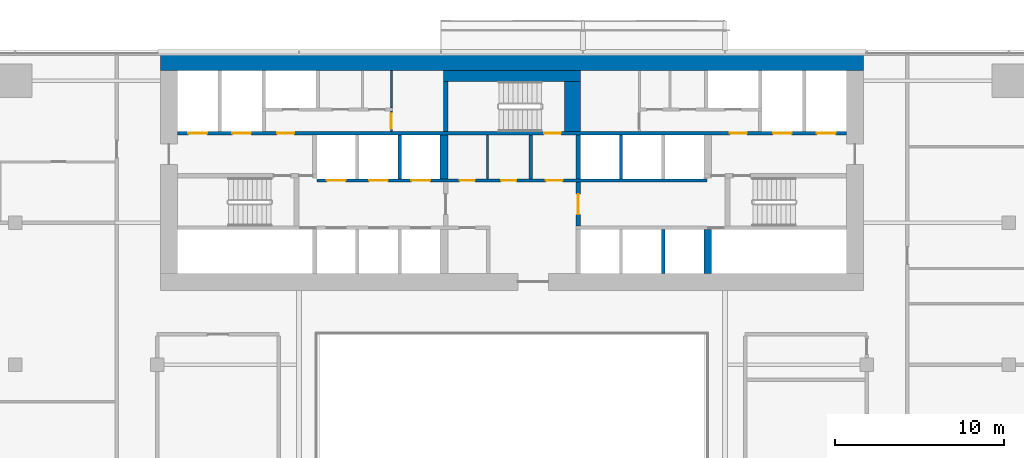
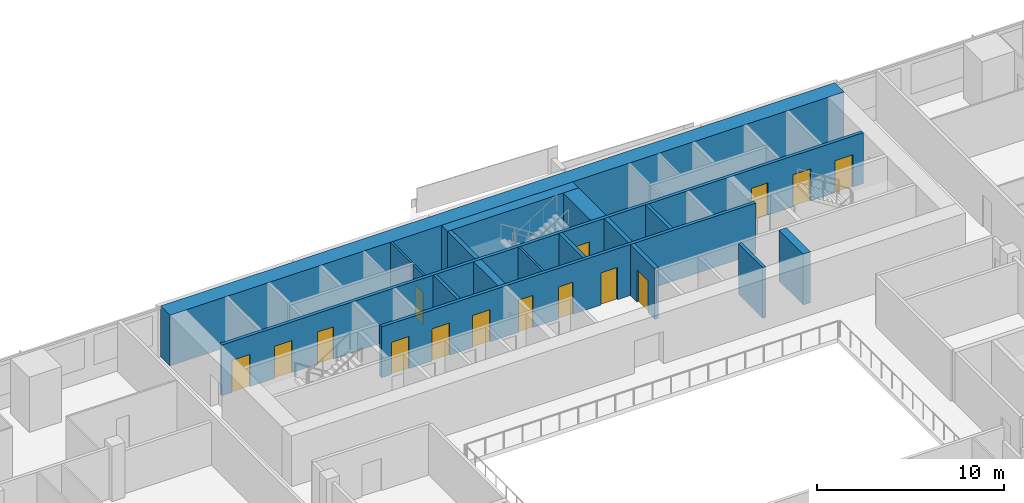
# One storey, part 21 of 26: 17 walls, 15 doors, 15 openings.
"""IFC4 building model written with IfcOpenShell, lengths in metres."""

from ifc_helpers import new_model, si_unit, direction, frame, frame_2d, origin, place, context, subcontext, project, spatial, rectangle, extrude, material, layer, layer_set, type_object, element, fill, save


model = new_model("IFC4")

# Units and contexts
model_context = context("Model", 3, precision=1e-05, world=origin(), true_north=direction((0.0, 1.0)))
body_context = subcontext(model_context, "Body", "Model", "MODEL_VIEW")
ifc_project = project(units=[si_unit("LENGTHUNIT", "METRE"), si_unit("AREAUNIT", "SQUARE_METRE"), si_unit("VOLUMEUNIT", "CUBIC_METRE"), si_unit("PLANEANGLEUNIT", "RADIAN"), si_unit("MASSUNIT", "GRAM", prefix="KILO")], contexts=[model_context])

# Site, building, storey
site_placement = place(None, origin())
site = spatial("IfcSite", under=ifc_project, at=site_placement, CompositionType="ELEMENT")
building_placement = place(site_placement, origin())
building = spatial("IfcBuilding", under=site, at=building_placement, Name="Saffron Gate Tower", CompositionType="ELEMENT")
storey_placement = place(building_placement, frame((0.0, 0.0, 120.449951171875)))
storey = spatial("IfcBuildingStorey", under=building, at=storey_placement, Name="L28", CompositionType="ELEMENT", Elevation=120.449951171875)

# Walls
ifc_material_1 = material(Name="Gypsum board partition on steel studs", Category="steel")
ifc_layer_1 = layer(ifc_material_1, 0.199951171875)
ifc_layer_set_1 = layer_set([ifc_layer_1], Name="CW10 Core partition 200")
wall_type_1 = type_object("IfcWallType", Name="CW10 Core partition 200", PredefinedType="PARTITIONING", material=ifc_layer_set_1)
wall_1_placement = place(storey_placement, frame((88.699951171875, 68.0, 0.0), z_axis=(0.0, 0.0, 1.0), x_axis=(0.0, 1.0, 0.0)))
element("IfcWall", 1, at=wall_1_placement, inside=storey, type_object=wall_type_1, Name="Wall CW10-L28-25", PredefinedType="PARTITIONING", context=body_context, shape_type="SweptSolid", body=[
    extrude(rectangle(XDim=2.60009765625, YDim=0.199951171875, at=frame_2d((1.300048828125, 0.0))), origin(), (0.0, 0.0, 1.0), 3.320068359375),
])
ifc_material_2 = material(Name="Concrete C70", Category="concrete")
ifc_layer_2 = layer(ifc_material_2, 1.0)
ifc_layer_set_2 = layer_set([ifc_layer_2], Name="CW12 RC core wall 1000 C70")
wall_type_2 = type_object("IfcWallType", Name="CW12 RC core wall 1000 C70", PredefinedType="SOLIDWALL", material=ifc_layer_set_2)
wall_2_placement = place(storey_placement, frame((66.800048828125, 74.89990234375, 0.0), z_axis=(0.0, 0.0, 1.0), x_axis=(1.0, 0.0, 0.0)))
element("IfcWall", 2, at=wall_2_placement, inside=storey, type_object=wall_type_2, Name="Wall CW12-L28-2", PredefinedType="SOLIDWALL", context=body_context, shape_type="SweptSolid", body=[
    extrude(rectangle(XDim=41.599853515625, YDim=1.0, at=frame_2d((20.7998046875, 0.0))), origin(), (0.0, 0.0, 1.0), 3.320068359375),
])

# Wall, opening, door
ifc_layer_3 = layer(ifc_material_2, 0.25)
ifc_layer_set_3 = layer_set([ifc_layer_3], Name="CW2 RC core wall 250 C70")
wall_type_3 = type_object("IfcWallType", Name="CW2 RC core wall 250 C70", PredefinedType="SOLIDWALL", material=ifc_layer_set_3)
wall_3_placement = place(storey_placement, frame((91.52490234375, 65.199951171875, 0.0), z_axis=(0.0, 0.0, 1.0), x_axis=(0.0, 1.0, 0.0)))
wall_3 = element("IfcWall", 3, at=wall_3_placement, inside=storey, type_object=wall_type_3, Name="Wall CW2-L28-18", PredefinedType="SOLIDWALL", context=body_context, shape_type="SweptSolid", body=[
    extrude(rectangle(XDim=2.60009765625, YDim=0.25, at=frame_2d((1.300048828125, 0.0))), origin(), (0.0, 0.0, 1.0), 3.320068359375),
])
opening_1_placement = place(wall_3_placement, frame((0.699951171875, 0.0, 0.0)))
opening_1 = element("IfcOpeningElement", 4, at=opening_1_placement, cuts=wall_3, Name="Opening CR-01", PredefinedType="OPENING", context=body_context, shape_type="SweptSolid", body=[
    extrude(rectangle(XDim=1.199951171875, YDim=2.10009765625, at=frame_2d((0.60009765625, 1.050048828125))), frame((0.0, 0.135009765625, 0.0), z_axis=(0.0, -1.0, 0.0), x_axis=(1.0, 0.0, 0.0)), (0.0, 0.0, 1.0), 0.27001953125),
])
ifc_material_3 = material(Name="Steel fire door set", Category="steel")
door_type_1 = type_object("IfcDoorType", Name="CD3 Lobby door 1200x2100 EI 120", OperationType="NOTDEFINED", PredefinedType="DOOR", material=ifc_material_3)
door_1_placement = place(opening_1_placement, origin())
door_1 = element("IfcDoor", 5, at=door_1_placement, inside=storey, type_object=door_type_1, Name="DOOR CR-01", OperationType="SINGLE_SWING_RIGHT", OverallHeight=2.10009765625, OverallWidth=1.199951171875, PredefinedType="DOOR", context=body_context, shape_type="SweptSolid", body=[
    extrude(rectangle(XDim=1.199951171875, YDim=2.10009765625, at=frame_2d((0.60009765625, 1.050048828125))), frame((0.0, 0.02490234375, 0.0), z_axis=(0.0, -1.0, 0.0), x_axis=(1.0, 0.0, 0.0)), (0.0, 0.0, 1.0), 0.050048828125),
])
fill(opening_1, door_1)

# Walls
wall_4_placement = place(storey_placement, frame((91.52490234375, 68.0, 0.0), z_axis=(0.0, 0.0, 1.0), x_axis=(0.0, 1.0, 0.0)))
element("IfcWall", 6, at=wall_4_placement, inside=storey, type_object=wall_type_3, Name="Wall CW2-L28-26", PredefinedType="SOLIDWALL", context=body_context, shape_type="SweptSolid", body=[
    extrude(rectangle(XDim=2.60009765625, YDim=0.25, at=frame_2d((1.300048828125, 0.0))), origin(), (0.0, 0.0, 1.0), 3.320068359375),
])
wall_5_placement = place(storey_placement, frame((83.675048828125, 70.800048828125, 0.0), z_axis=(0.0, 0.0, 1.0), x_axis=(0.0, 1.0, 0.0)))
element("IfcWall", 7, at=wall_5_placement, inside=storey, type_object=wall_type_3, Name="Wall CW2-L28-38", PredefinedType="SOLIDWALL", context=body_context, shape_type="SweptSolid", body=[
    extrude(rectangle(XDim=2.949951171875, YDim=0.25, at=frame_2d((1.47509765625, 0.0))), origin(), (0.0, 0.0, 1.0), 3.320068359375),
])
ifc_layer_4 = layer(ifc_material_2, 0.199951171875)
ifc_layer_set_4 = layer_set([ifc_layer_4], Name="CW3 RC core wall 200 C70")
wall_type_4 = type_object("IfcWallType", Name="CW3 RC core wall 200 C70", PredefinedType="SOLIDWALL", material=ifc_layer_set_4)
wall_6_placement = place(storey_placement, frame((96.550048828125, 62.39990234375, 0.0), z_axis=(0.0, 0.0, 1.0), x_axis=(0.0, 1.0, 0.0)))
element("IfcWall", 8, at=wall_6_placement, inside=storey, type_object=wall_type_4, Name="Wall CW3-L28-12", PredefinedType="SOLIDWALL", context=body_context, shape_type="SweptSolid", body=[
    extrude(rectangle(XDim=2.60009765625, YDim=0.199951171875, at=frame_2d((1.300048828125, 0.0))), origin(), (0.0, 0.0, 1.0), 3.320068359375),
])

# Wall, openings, doors
wall_7_placement = place(storey_placement, frame((76.050048828125, 67.89990234375, 0.0), z_axis=(0.0, 0.0, 1.0), x_axis=(1.0, 0.0, 0.0)))
wall_7 = element("IfcWall", 9, at=wall_7_placement, inside=storey, type_object=wall_type_4, Name="Wall CW3-L28-20", PredefinedType="SOLIDWALL", context=body_context, shape_type="SweptSolid", body=[
    extrude(rectangle(XDim=23.099853515625, YDim=0.199951171875, at=frame_2d((11.5498046875, 0.0))), origin(), (0.0, 0.0, 1.0), 3.320068359375),
])
opening_2_placement = place(wall_7_placement, frame((0.60009765625, 0.0, 0.0)))
opening_2 = element("IfcOpeningElement", 10, at=opening_2_placement, cuts=wall_7, Name="Opening LD-LR4", PredefinedType="OPENING", context=body_context, shape_type="SweptSolid", body=[
    extrude(rectangle(XDim=1.10009765625, YDim=2.10009765625, at=frame_2d((0.550048828125, 1.050048828125))), frame((0.0, 0.10986328125, 0.0), z_axis=(0.0, -1.0, 0.0), x_axis=(1.0, 0.0, 0.0)), (0.0, 0.0, 1.0), 0.219970703125),
])
opening_3_placement = place(wall_7_placement, frame((3.10009765625, 0.0, 0.0)))
opening_3 = element("IfcOpeningElement", 11, at=opening_3_placement, cuts=wall_7, Name="Opening LD-LR5", PredefinedType="OPENING", context=body_context, shape_type="SweptSolid", body=[
    extrude(rectangle(XDim=1.10009765625, YDim=2.10009765625, at=frame_2d((0.550048828125, 1.050048828125))), frame((0.0, 0.10986328125, 0.0), z_axis=(0.0, -1.0, 0.0), x_axis=(1.0, 0.0, 0.0)), (0.0, 0.0, 1.0), 0.219970703125),
])
opening_4_placement = place(wall_7_placement, frame((5.60009765625, 0.0, 0.0)))
opening_4 = element("IfcOpeningElement", 12, at=opening_4_placement, cuts=wall_7, Name="Opening LD-LR6", PredefinedType="OPENING", context=body_context, shape_type="SweptSolid", body=[
    extrude(rectangle(XDim=1.10009765625, YDim=2.10009765625, at=frame_2d((0.550048828125, 1.050048828125))), frame((0.0, 0.10986328125, 0.0), z_axis=(0.0, -1.0, 0.0), x_axis=(1.0, 0.0, 0.0)), (0.0, 0.0, 1.0), 0.219970703125),
])
opening_5_placement = place(wall_7_placement, frame((8.449951171875, 0.0, 0.0)))
opening_5 = element("IfcOpeningElement", 13, at=opening_5_placement, cuts=wall_7, Name="Opening CR-67", PredefinedType="OPENING", context=body_context, shape_type="SweptSolid", body=[
    extrude(rectangle(XDim=0.89990234375, YDim=2.10009765625, at=frame_2d((0.449951171875, 1.050048828125))), frame((0.0, 0.10986328125, 0.0), z_axis=(0.0, -1.0, 0.0), x_axis=(1.0, 0.0, 0.0)), (0.0, 0.0, 1.0), 0.219970703125),
])
opening_6_placement = place(wall_7_placement, frame((10.909912109375, 0.0, 0.0)))
opening_6 = element("IfcOpeningElement", 14, at=opening_6_placement, cuts=wall_7, Name="Opening CR-68", PredefinedType="OPENING", context=body_context, shape_type="SweptSolid", body=[
    extrude(rectangle(XDim=0.89990234375, YDim=2.10009765625, at=frame_2d((0.449951171875, 1.050048828125))), frame((0.0, 0.10986328125, 0.0), z_axis=(0.0, -1.0, 0.0), x_axis=(1.0, 0.0, 0.0)), (0.0, 0.0, 1.0), 0.219970703125),
])
opening_7_placement = place(wall_7_placement, frame((13.550048828125, 0.0, 0.0)))
opening_7 = element("IfcOpeningElement", 15, at=opening_7_placement, cuts=wall_7, Name="Opening CR-02", PredefinedType="OPENING", context=body_context, shape_type="SweptSolid", body=[
    extrude(rectangle(XDim=1.0, YDim=2.10009765625, at=frame_2d((0.5, 1.050048828125))), frame((0.0, 0.10986328125, 0.0), z_axis=(0.0, -1.0, 0.0), x_axis=(1.0, 0.0, 0.0)), (0.0, 0.0, 1.0), 0.219970703125),
])
door_type_2 = type_object("IfcDoorType", Name="CD4 Lobby door 1000x2100 EI 120", OperationType="NOTDEFINED", PredefinedType="DOOR", material=ifc_material_3)
door_2_placement = place(opening_7_placement, origin())
door_2 = element("IfcDoor", 16, at=door_2_placement, inside=storey, type_object=door_type_2, Name="DOOR CR-02", OperationType="SINGLE_SWING_LEFT", OverallHeight=2.10009765625, OverallWidth=1.0, PredefinedType="DOOR", context=body_context, shape_type="SweptSolid", body=[
    extrude(rectangle(XDim=1.0, YDim=2.10009765625, at=frame_2d((0.5, 1.050048828125))), frame((0.0, 0.02490234375, 0.0), z_axis=(0.0, -1.0, 0.0), x_axis=(1.0, 0.0, 0.0)), (0.0, 0.0, 1.0), 0.050048828125),
])
fill(opening_7, door_2)
door_type_3 = type_object("IfcDoorType", Name="CD9 Room door 900x2100 EI 60", OperationType="NOTDEFINED", PredefinedType="DOOR", material=ifc_material_3)
door_3_placement = place(opening_5_placement, origin())
door_3 = element("IfcDoor", 17, at=door_3_placement, inside=storey, type_object=door_type_3, Name="DOOR CR-67", OperationType="SINGLE_SWING_LEFT", OverallHeight=2.10009765625, OverallWidth=0.89990234375, PredefinedType="DOOR", context=body_context, shape_type="SweptSolid", body=[
    extrude(rectangle(XDim=0.89990234375, YDim=2.10009765625, at=frame_2d((0.449951171875, 1.050048828125))), frame((0.0, 0.02490234375, 0.0), z_axis=(0.0, -1.0, 0.0), x_axis=(1.0, 0.0, 0.0)), (0.0, 0.0, 1.0), 0.050048828125),
])
fill(opening_5, door_3)
door_4_placement = place(opening_6_placement, origin())
door_4 = element("IfcDoor", 18, at=door_4_placement, inside=storey, type_object=door_type_3, Name="DOOR CR-68", OperationType="SINGLE_SWING_LEFT", OverallHeight=2.10009765625, OverallWidth=0.89990234375, PredefinedType="DOOR", context=body_context, shape_type="SweptSolid", body=[
    extrude(rectangle(XDim=0.89990234375, YDim=2.10009765625, at=frame_2d((0.449951171875, 1.050048828125))), frame((0.0, 0.02490234375, 0.0), z_axis=(0.0, -1.0, 0.0), x_axis=(1.0, 0.0, 0.0)), (0.0, 0.0, 1.0), 0.050048828125),
])
fill(opening_6, door_4)
ifc_material_4 = material(Name="Stainless steel landing door", Category="steel")
door_type_4 = type_object("IfcDoorType", Name="LD Lift landing door 1100x2100 EI 120", OperationType="SLIDING_TO_LEFT", PredefinedType="DOOR", material=ifc_material_4)
door_5_placement = place(opening_2_placement, origin())
door_5 = element("IfcDoor", 19, at=door_5_placement, inside=storey, type_object=door_type_4, Name="LANDING DOOR LD-LR4", OperationType="SLIDING_TO_RIGHT", OverallHeight=2.10009765625, OverallWidth=1.10009765625, PredefinedType="DOOR", context=body_context, shape_type="SweptSolid", body=[
    extrude(rectangle(XDim=1.10009765625, YDim=2.10009765625, at=frame_2d((0.550048828125, 1.050048828125))), frame((0.0, 0.02490234375, 0.0), z_axis=(0.0, -1.0, 0.0), x_axis=(1.0, 0.0, 0.0)), (0.0, 0.0, 1.0), 0.050048828125),
])
fill(opening_2, door_5)
door_6_placement = place(opening_3_placement, origin())
door_6 = element("IfcDoor", 20, at=door_6_placement, inside=storey, type_object=door_type_4, Name="LANDING DOOR LD-LR5", OperationType="SLIDING_TO_RIGHT", OverallHeight=2.10009765625, OverallWidth=1.10009765625, PredefinedType="DOOR", context=body_context, shape_type="SweptSolid", body=[
    extrude(rectangle(XDim=1.10009765625, YDim=2.10009765625, at=frame_2d((0.550048828125, 1.050048828125))), frame((0.0, 0.02490234375, 0.0), z_axis=(0.0, -1.0, 0.0), x_axis=(1.0, 0.0, 0.0)), (0.0, 0.0, 1.0), 0.050048828125),
])
fill(opening_3, door_6)
door_7_placement = place(opening_4_placement, origin())
door_7 = element("IfcDoor", 21, at=door_7_placement, inside=storey, type_object=door_type_4, Name="LANDING DOOR LD-LR6", OperationType="SLIDING_TO_RIGHT", OverallHeight=2.10009765625, OverallWidth=1.10009765625, PredefinedType="DOOR", context=body_context, shape_type="SweptSolid", body=[
    extrude(rectangle(XDim=1.10009765625, YDim=2.10009765625, at=frame_2d((0.550048828125, 1.050048828125))), frame((0.0, 0.02490234375, 0.0), z_axis=(0.0, -1.0, 0.0), x_axis=(1.0, 0.0, 0.0)), (0.0, 0.0, 1.0), 0.050048828125),
])
fill(opening_4, door_7)

# Walls
for number, where, z_axis, x_axis, name in (
    (22, (80.949951171875, 68.0, 0.0), (0.0, 0.0, 1.0), (0.0, 1.0, 0.0), "Wall CW3-L28-22"),
    (23, (94.050048828125, 68.0, 0.0), (0.0, 0.0, 1.0), (0.0, 1.0, 0.0), "Wall CW3-L28-27"),
):
    element("IfcWall", number, at=place(storey_placement, frame(where, z_axis=z_axis, x_axis=x_axis)), inside=storey, type_object=wall_type_4, Name=name, PredefinedType="SOLIDWALL", context=body_context, shape_type="SweptSolid", body=[
        extrude(rectangle(XDim=2.60009765625, YDim=0.199951171875, at=frame_2d((1.300048828125, 0.0))), origin(), (0.0, 0.0, 1.0), 3.320068359375),
    ])

# Wall, openings, doors
wall_8_placement = place(storey_placement, frame((67.800048828125, 70.699951171875, 0.0), z_axis=(0.0, 0.0, 1.0), x_axis=(1.0, 0.0, 0.0)))
wall_8 = element("IfcWall", 24, at=wall_8_placement, inside=storey, type_object=wall_type_4, Name="Wall CW3-L28-34", PredefinedType="SOLIDWALL", context=body_context, shape_type="SweptSolid", body=[
    extrude(rectangle(XDim=39.599853515625, YDim=0.199951171875, at=frame_2d((19.7998046875, 0.0))), origin(), (0.0, 0.0, 1.0), 3.320068359375),
])
opening_8_placement = place(wall_8_placement, frame((0.64990234375, 0.0, 0.0)))
opening_8 = element("IfcOpeningElement", 25, at=opening_8_placement, cuts=wall_8, Name="Opening LD-FF1", PredefinedType="OPENING", context=body_context, shape_type="SweptSolid", body=[
    extrude(rectangle(XDim=1.10009765625, YDim=2.10009765625, at=frame_2d((0.550048828125, 1.050048828125))), frame((0.0, 0.10986328125, 0.0), z_axis=(0.0, -1.0, 0.0), x_axis=(1.0, 0.0, 0.0)), (0.0, 0.0, 1.0), 0.219970703125),
])
opening_9_placement = place(wall_8_placement, frame((3.25, 0.0, 0.0)))
opening_9 = element("IfcOpeningElement", 26, at=opening_9_placement, cuts=wall_8, Name="Opening LD-SV1", PredefinedType="OPENING", context=body_context, shape_type="SweptSolid", body=[
    extrude(rectangle(XDim=1.10009765625, YDim=2.10009765625, at=frame_2d((0.550048828125, 1.050048828125))), frame((0.0, 0.10986328125, 0.0), z_axis=(0.0, -1.0, 0.0), x_axis=(1.0, 0.0, 0.0)), (0.0, 0.0, 1.0), 0.219970703125),
])
opening_10_placement = place(wall_8_placement, frame((5.89990234375, 0.0, 0.0)))
opening_10 = element("IfcOpeningElement", 27, at=opening_10_placement, cuts=wall_8, Name="Opening CR-03", PredefinedType="OPENING", context=body_context, shape_type="SweptSolid", body=[
    extrude(rectangle(XDim=1.0, YDim=2.10009765625, at=frame_2d((0.5, 1.050048828125))), frame((0.0, 0.10986328125, 0.0), z_axis=(0.0, -1.0, 0.0), x_axis=(1.0, 0.0, 0.0)), (0.0, 0.0, 1.0), 0.219970703125),
])
opening_11_placement = place(wall_8_placement, frame((21.699951171875, 0.0, 0.0)))
opening_11 = element("IfcOpeningElement", 28, at=opening_11_placement, cuts=wall_8, Name="Opening CR-17", PredefinedType="OPENING", context=body_context, shape_type="SweptSolid", body=[
    extrude(rectangle(XDim=1.0, YDim=2.10009765625, at=frame_2d((0.5, 1.050048828125))), frame((0.0, 0.10986328125, 0.0), z_axis=(0.0, -1.0, 0.0), x_axis=(1.0, 0.0, 0.0)), (0.0, 0.0, 1.0), 0.219970703125),
])
opening_12_placement = place(wall_8_placement, frame((32.699951171875, 0.0, 0.0)))
opening_12 = element("IfcOpeningElement", 29, at=opening_12_placement, cuts=wall_8, Name="Opening CR-04", PredefinedType="OPENING", context=body_context, shape_type="SweptSolid", body=[
    extrude(rectangle(XDim=1.0, YDim=2.10009765625, at=frame_2d((0.5, 1.050048828125))), frame((0.0, 0.10986328125, 0.0), z_axis=(0.0, -1.0, 0.0), x_axis=(1.0, 0.0, 0.0)), (0.0, 0.0, 1.0), 0.219970703125),
])
opening_13_placement = place(wall_8_placement, frame((35.25, 0.0, 0.0)))
opening_13 = element("IfcOpeningElement", 30, at=opening_13_placement, cuts=wall_8, Name="Opening LD-SV2", PredefinedType="OPENING", context=body_context, shape_type="SweptSolid", body=[
    extrude(rectangle(XDim=1.10009765625, YDim=2.10009765625, at=frame_2d((0.550048828125, 1.050048828125))), frame((0.0, 0.10986328125, 0.0), z_axis=(0.0, -1.0, 0.0), x_axis=(1.0, 0.0, 0.0)), (0.0, 0.0, 1.0), 0.219970703125),
])
opening_14_placement = place(wall_8_placement, frame((37.85009765625, 0.0, 0.0)))
opening_14 = element("IfcOpeningElement", 31, at=opening_14_placement, cuts=wall_8, Name="Opening LD-FF2", PredefinedType="OPENING", context=body_context, shape_type="SweptSolid", body=[
    extrude(rectangle(XDim=1.10009765625, YDim=2.10009765625, at=frame_2d((0.550048828125, 1.050048828125))), frame((0.0, 0.10986328125, 0.0), z_axis=(0.0, -1.0, 0.0), x_axis=(1.0, 0.0, 0.0)), (0.0, 0.0, 1.0), 0.219970703125),
])
door_8_placement = place(opening_10_placement, origin())
door_8 = element("IfcDoor", 32, at=door_8_placement, inside=storey, type_object=door_type_2, Name="DOOR CR-03", OperationType="SINGLE_SWING_LEFT", OverallHeight=2.10009765625, OverallWidth=1.0, PredefinedType="DOOR", context=body_context, shape_type="SweptSolid", body=[
    extrude(rectangle(XDim=1.0, YDim=2.10009765625, at=frame_2d((0.5, 1.050048828125))), frame((0.0, 0.02490234375, 0.0), z_axis=(0.0, -1.0, 0.0), x_axis=(1.0, 0.0, 0.0)), (0.0, 0.0, 1.0), 0.050048828125),
])
fill(opening_10, door_8)
door_9_placement = place(opening_12_placement, origin())
door_9 = element("IfcDoor", 33, at=door_9_placement, inside=storey, type_object=door_type_2, Name="DOOR CR-04", OperationType="SINGLE_SWING_RIGHT", OverallHeight=2.10009765625, OverallWidth=1.0, PredefinedType="DOOR", context=body_context, shape_type="SweptSolid", body=[
    extrude(rectangle(XDim=1.0, YDim=2.10009765625, at=frame_2d((0.5, 1.050048828125))), frame((0.0, 0.02490234375, 0.0), z_axis=(0.0, -1.0, 0.0), x_axis=(1.0, 0.0, 0.0)), (0.0, 0.0, 1.0), 0.050048828125),
])
fill(opening_12, door_9)
door_type_5 = type_object("IfcDoorType", Name="CD5 Stair door 1000x2100 EI 120", OperationType="NOTDEFINED", PredefinedType="DOOR", material=ifc_material_3)
door_10_placement = place(opening_11_placement, origin())
door_10 = element("IfcDoor", 34, at=door_10_placement, inside=storey, type_object=door_type_5, Name="DOOR CR-17", OperationType="SINGLE_SWING_RIGHT", OverallHeight=2.10009765625, OverallWidth=1.0, PredefinedType="DOOR", context=body_context, shape_type="SweptSolid", body=[
    extrude(rectangle(XDim=1.0, YDim=2.10009765625, at=frame_2d((0.5, 1.050048828125))), frame((0.0, 0.02490234375, 0.0), z_axis=(0.0, -1.0, 0.0), x_axis=(1.0, 0.0, 0.0)), (0.0, 0.0, 1.0), 0.050048828125),
])
fill(opening_11, door_10)
door_11_placement = place(opening_8_placement, origin())
door_11 = element("IfcDoor", 35, at=door_11_placement, inside=storey, type_object=door_type_4, Name="LANDING DOOR LD-FF1", OperationType="SLIDING_TO_RIGHT", OverallHeight=2.10009765625, OverallWidth=1.10009765625, PredefinedType="DOOR", context=body_context, shape_type="SweptSolid", body=[
    extrude(rectangle(XDim=1.10009765625, YDim=2.10009765625, at=frame_2d((0.550048828125, 1.050048828125))), frame((0.0, 0.02490234375, 0.0), z_axis=(0.0, -1.0, 0.0), x_axis=(1.0, 0.0, 0.0)), (0.0, 0.0, 1.0), 0.050048828125),
])
fill(opening_8, door_11)
door_12_placement = place(opening_9_placement, origin())
door_12 = element("IfcDoor", 36, at=door_12_placement, inside=storey, type_object=door_type_4, Name="LANDING DOOR LD-SV1", OperationType="SLIDING_TO_RIGHT", OverallHeight=2.10009765625, OverallWidth=1.10009765625, PredefinedType="DOOR", context=body_context, shape_type="SweptSolid", body=[
    extrude(rectangle(XDim=1.10009765625, YDim=2.10009765625, at=frame_2d((0.550048828125, 1.050048828125))), frame((0.0, 0.02490234375, 0.0), z_axis=(0.0, -1.0, 0.0), x_axis=(1.0, 0.0, 0.0)), (0.0, 0.0, 1.0), 0.050048828125),
])
fill(opening_9, door_12)
door_13_placement = place(opening_13_placement, origin())
door_13 = element("IfcDoor", 37, at=door_13_placement, inside=storey, type_object=door_type_4, Name="LANDING DOOR LD-SV2", OperationType="SLIDING_TO_RIGHT", OverallHeight=2.10009765625, OverallWidth=1.10009765625, PredefinedType="DOOR", context=body_context, shape_type="SweptSolid", body=[
    extrude(rectangle(XDim=1.10009765625, YDim=2.10009765625, at=frame_2d((0.550048828125, 1.050048828125))), frame((0.0, 0.02490234375, 0.0), z_axis=(0.0, -1.0, 0.0), x_axis=(1.0, 0.0, 0.0)), (0.0, 0.0, 1.0), 0.050048828125),
])
fill(opening_13, door_13)
door_14_placement = place(opening_14_placement, origin())
door_14 = element("IfcDoor", 38, at=door_14_placement, inside=storey, type_object=door_type_4, Name="LANDING DOOR LD-FF2", OperationType="SLIDING_TO_RIGHT", OverallHeight=2.10009765625, OverallWidth=1.10009765625, PredefinedType="DOOR", context=body_context, shape_type="SweptSolid", body=[
    extrude(rectangle(XDim=1.10009765625, YDim=2.10009765625, at=frame_2d((0.550048828125, 1.050048828125))), frame((0.0, 0.02490234375, 0.0), z_axis=(0.0, -1.0, 0.0), x_axis=(1.0, 0.0, 0.0)), (0.0, 0.0, 1.0), 0.050048828125),
])
fill(opening_14, door_14)

# Walls
ifc_layer_5 = layer(ifc_material_2, 0.449951171875)
ifc_layer_set_5 = layer_set([ifc_layer_5], Name="CW4 RC core wall 450 C70")
wall_type_5 = type_object("IfcWallType", Name="CW4 RC core wall 450 C70", PredefinedType="SOLIDWALL", material=ifc_layer_set_5)
for number, where, z_axis, x_axis, name in (
    (39, (99.175048828125, 62.39990234375, 0.0), (0.0, 0.0, 1.0), (0.0, 1.0, 0.0), "Wall CW4-L28-13"),
    (40, (83.574951171875, 68.0, 0.0), (0.0, 0.0, 1.0), (0.0, 1.0, 0.0), "Wall CW4-L28-23"),
):
    element("IfcWall", number, at=place(storey_placement, frame(where, z_axis=z_axis, x_axis=x_axis)), inside=storey, type_object=wall_type_5, Name=name, PredefinedType="SOLIDWALL", context=body_context, shape_type="SweptSolid", body=[
        extrude(rectangle(XDim=2.60009765625, YDim=0.449951171875, at=frame_2d((1.300048828125, 0.0))), origin(), (0.0, 0.0, 1.0), 3.320068359375),
    ])
ifc_layer_6 = layer(ifc_material_2, 0.949951171875)
ifc_layer_set_6 = layer_set([ifc_layer_6], Name="CW7 RC core wall 950 C70")
wall_type_6 = type_object("IfcWallType", Name="CW7 RC core wall 950 C70", PredefinedType="SOLIDWALL", material=ifc_layer_set_6)
wall_9_placement = place(storey_placement, frame((91.175048828125, 70.800048828125, 0.0), z_axis=(0.0, 0.0, 1.0), x_axis=(0.0, 1.0, 0.0)))
element("IfcWall", 41, at=wall_9_placement, inside=storey, type_object=wall_type_6, Name="Wall CW7-L28-39", PredefinedType="SOLIDWALL", context=body_context, shape_type="SweptSolid", body=[
    extrude(rectangle(XDim=2.949951171875, YDim=0.949951171875, at=frame_2d((1.47509765625, 0.0))), origin(), (0.0, 0.0, 1.0), 3.320068359375),
])
ifc_layer_7 = layer(ifc_material_1, 0.1201171875)
ifc_layer_set_7 = layer_set([ifc_layer_7], Name="CW8 Core partition 120")
wall_type_7 = type_object("IfcWallType", Name="CW8 Core partition 120", PredefinedType="PARTITIONING", material=ifc_layer_set_7)
wall_10_placement = place(storey_placement, frame((86.159912109375, 68.0, 0.0), z_axis=(0.0, 0.0, 1.0), x_axis=(0.0, 1.0, 0.0)))
element("IfcWall", 42, at=wall_10_placement, inside=storey, type_object=wall_type_7, Name="Wall CW8-L28-24", PredefinedType="PARTITIONING", context=body_context, shape_type="SweptSolid", body=[
    extrude(rectangle(XDim=2.60009765625, YDim=0.1201171875, at=frame_2d((1.300048828125, 0.0))), origin(), (0.0, 0.0, 1.0), 3.320068359375),
])

# Wall, opening, door
wall_11_placement = place(storey_placement, frame((80.4599609375, 70.800048828125, 0.0), z_axis=(0.0, 0.0, 1.0), x_axis=(0.0, 1.0, 0.0)))
wall_11 = element("IfcWall", 43, at=wall_11_placement, inside=storey, type_object=wall_type_7, Name="Wall CW8-L28-37", PredefinedType="PARTITIONING", context=body_context, shape_type="SweptSolid", body=[
    extrude(rectangle(XDim=1.199951171875, YDim=0.1201171875, at=frame_2d((0.60009765625, 0.0))), origin(), (0.0, 0.0, 1.0), 3.320068359375),
])
opening_15_placement = place(wall_11_placement, frame((0.14990234375, 0.0, 0.0)))
opening_15 = element("IfcOpeningElement", 44, at=opening_15_placement, cuts=wall_11, Name="Opening CR-60", PredefinedType="OPENING", context=body_context, shape_type="SweptSolid", body=[
    extrude(rectangle(XDim=0.89990234375, YDim=2.10009765625, at=frame_2d((0.449951171875, 1.050048828125))), frame((0.0, 0.070068359375, 0.0), z_axis=(0.0, -1.0, 0.0), x_axis=(1.0, 0.0, 0.0)), (0.0, 0.0, 1.0), 0.14013671875),
])
door_15_placement = place(opening_15_placement, origin())
door_15 = element("IfcDoor", 45, at=door_15_placement, inside=storey, type_object=door_type_3, Name="DOOR CR-60", OperationType="SINGLE_SWING_RIGHT", OverallHeight=2.10009765625, OverallWidth=0.89990234375, PredefinedType="DOOR", context=body_context, shape_type="SweptSolid", body=[
    extrude(rectangle(XDim=0.89990234375, YDim=2.10009765625, at=frame_2d((0.449951171875, 1.050048828125))), frame((0.0, 0.02490234375, 0.0), z_axis=(0.0, -1.0, 0.0), x_axis=(1.0, 0.0, 0.0)), (0.0, 0.0, 1.0), 0.050048828125),
])
fill(opening_15, door_15)

# Walls
wall_12_placement = place(storey_placement, frame((80.4599609375, 72.199951171875, 0.0), z_axis=(0.0, 0.0, 1.0), x_axis=(0.0, 1.0, 0.0)))
element("IfcWall", 46, at=wall_12_placement, inside=storey, type_object=wall_type_7, Name="Wall CW8-L28-48", PredefinedType="PARTITIONING", context=body_context, shape_type="SweptSolid", body=[
    extrude(rectangle(XDim=2.199951171875, YDim=0.1201171875, at=frame_2d((1.10009765625, 0.0))), origin(), (0.0, 0.0, 1.0), 3.320068359375),
])
ifc_layer_8 = layer(ifc_material_2, 0.64990234375)
ifc_layer_set_8 = layer_set([ifc_layer_8], Name="CW9 RC core wall 650 C70")
wall_type_8 = type_object("IfcWallType", Name="CW9 RC core wall 650 C70", PredefinedType="SOLIDWALL", material=ifc_layer_set_8)
wall_13_placement = place(storey_placement, frame((83.550048828125, 74.074951171875, 0.0), z_axis=(0.0, 0.0, 1.0), x_axis=(1.0, 0.0, 0.0)))
element("IfcWall", 47, at=wall_13_placement, inside=storey, type_object=wall_type_8, Name="Wall CW9-L28-53", PredefinedType="SOLIDWALL", context=body_context, shape_type="SweptSolid", body=[
    extrude(rectangle(XDim=8.099853515625, YDim=0.64990234375, at=frame_2d((4.0498046875, 0.0))), origin(), (0.0, 0.0, 1.0), 3.320068359375),
])

save(model, "model.ifc")
